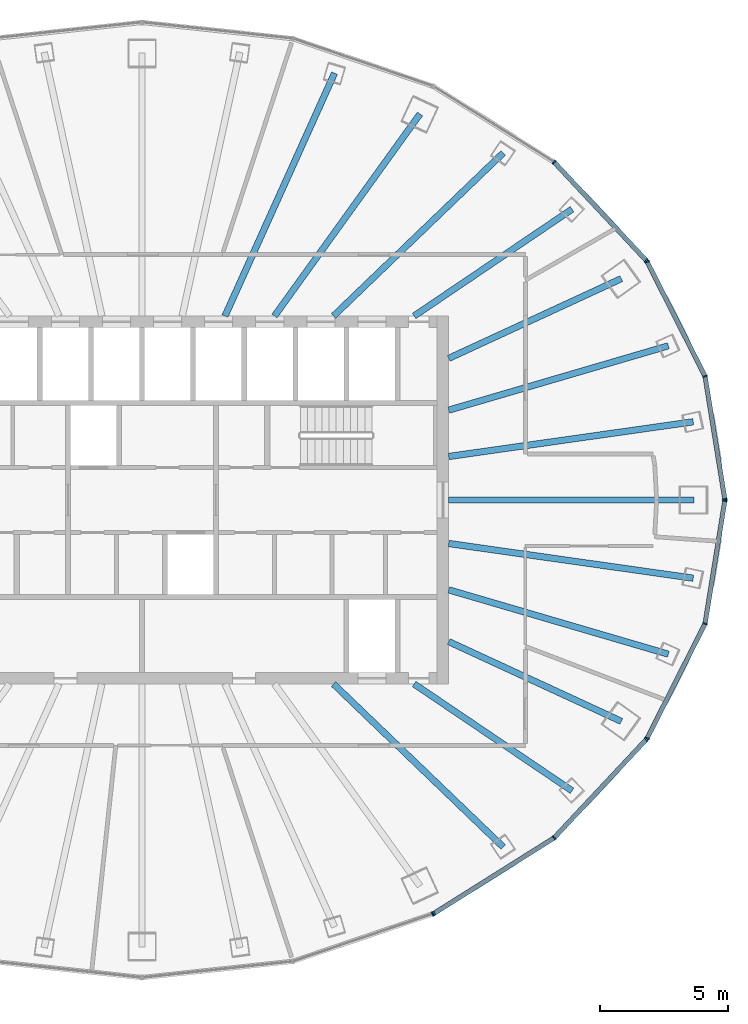
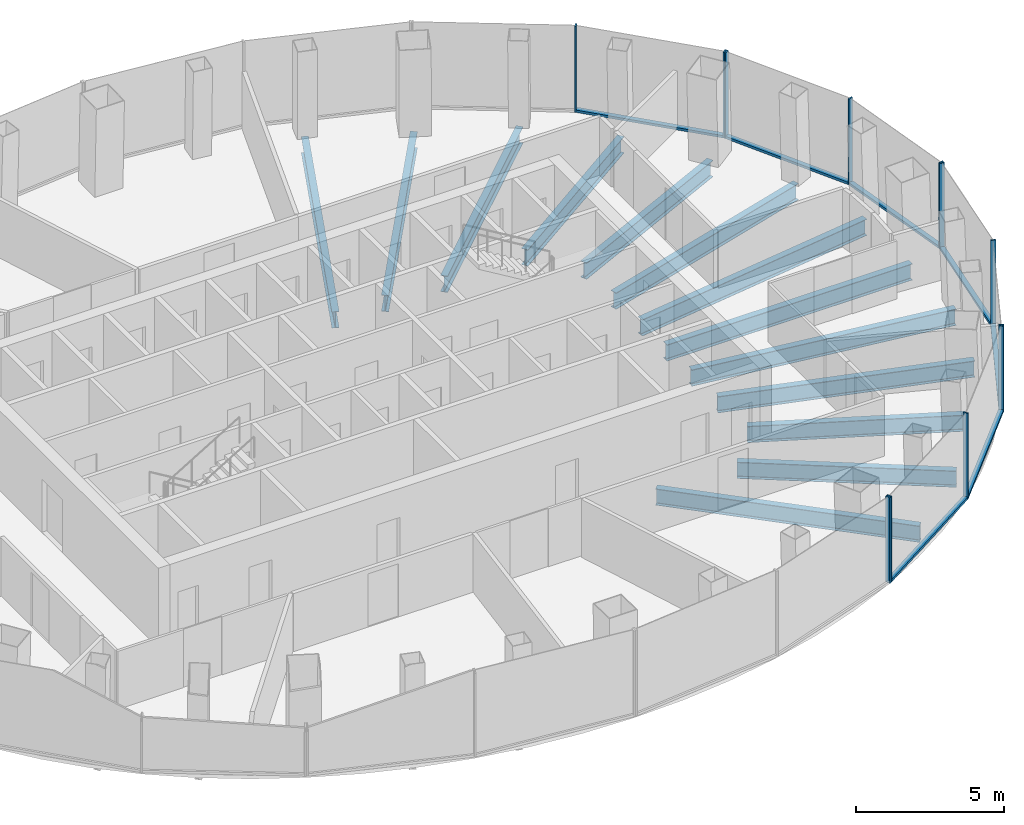
# One storey, part 5 of 11: 19 members, 13 beams, 5 elements without a shape of their own.
"""IFC4 building model written with IfcOpenShell, lengths in metres."""

from ifc_helpers import new_model, si_unit, direction, frame, origin, origin_2d, place, context, subcontext, project, spatial, rectangle, i_section, extrude, material, layer, layer_set, material_profile, profile_set, type_object, element, aggregate, save


model = new_model("IFC4")

# Units and contexts
model_context = context("Model", 3, precision=1e-05, world=origin(), true_north=direction((0.0, 1.0)))
body_context = subcontext(model_context, "Body", "Model", "MODEL_VIEW")
ifc_project = project(units=[si_unit("LENGTHUNIT", "METRE"), si_unit("AREAUNIT", "SQUARE_METRE"), si_unit("VOLUMEUNIT", "CUBIC_METRE"), si_unit("PLANEANGLEUNIT", "RADIAN"), si_unit("MASSUNIT", "GRAM", prefix="KILO")], contexts=[model_context])

# Site, building, storey
site_placement = place(None, origin())
site = spatial("IfcSite", under=ifc_project, at=site_placement, CompositionType="ELEMENT")
building_placement = place(site_placement, origin())
building = spatial("IfcBuilding", under=site, at=building_placement, Name="Siaravel Broadcast Tower", CompositionType="ELEMENT")
storey_placement = place(building_placement, frame((0.0, 0.0, 197.800048828125)))
storey = spatial("IfcBuildingStorey", under=building, at=storey_placement, Name="L48", CompositionType="ELEMENT", Elevation=197.800048828125)

# Beams
ifc_material_1 = material(Name="Steel S355", Category="steel")
ifc_material_profile_1 = material_profile(ifc_material_1, i_section(OverallWidth=0.2529296875, OverallDepth=0.677978515625, WebThickness=0.01171875, FlangeThickness=0.01611328125, FilletRadius=0.01513671875, at=origin_2d()))
ifc_profile_set_1 = profile_set([ifc_material_profile_1], Name="Steel S355")
beam_type = type_object("IfcBeamType", Name="BM-UB 686x254x125", PredefinedType="BEAM", material=ifc_profile_set_1)
beam_1_placement = place(storey_placement, frame((21.59619140625, 0.0, -0.489013671875), z_axis=(-1.0, 0.0, 0.0), x_axis=(0.0, -1.0, 0.0)))
element("IfcBeam", 1, at=beam_1_placement, inside=storey, type_object=beam_type, Name="Radial beam RB01", PredefinedType="BEAM", context=body_context, shape_type="SweptSolid", body=[
    extrude(i_section(OverallWidth=0.2529296875, OverallDepth=0.677978515625, WebThickness=0.01171875, FlangeThickness=0.01611328125, FilletRadius=0.01513671875, at=origin_2d()), origin(), (0.0, 0.0, 1.0), 9.59619140625),
])
beam_2_placement = place(storey_placement, frame((21.5693359375, 3.059814453125, -0.489013671875), z_axis=(-0.990088447, -0.140445244, 0.0), x_axis=(0.140445244, -0.990088447, 0.0)))
element("IfcBeam", 2, at=beam_2_placement, inside=storey, type_object=beam_type, Name="Radial beam RB02", PredefinedType="BEAM", context=body_context, shape_type="SweptSolid", body=[
    extrude(i_section(OverallWidth=0.2529296875, OverallDepth=0.677978515625, WebThickness=0.01171875, FlangeThickness=0.01611328125, FilletRadius=0.01513671875, at=origin_2d()), origin(), (0.0, 0.0, 1.0), 9.6650390625),
])
beam_3_placement = place(storey_placement, frame((20.596435546875, 6.03369140625, -0.489013671875), z_axis=(-0.959668741, -0.281133256, 0.0), x_axis=(0.281133256, -0.959668741, 0.0)))
element("IfcBeam", 3, at=beam_3_placement, inside=storey, type_object=beam_type, Name="Radial beam RB03", PredefinedType="BEAM", context=body_context, shape_type="SweptSolid", body=[
    extrude(i_section(OverallWidth=0.2529296875, OverallDepth=0.677978515625, WebThickness=0.01171875, FlangeThickness=0.01611328125, FilletRadius=0.01513671875, at=origin_2d()), origin(), (0.0, 0.0, 1.0), 8.957763671875),
])
beam_4_placement = place(storey_placement, frame((18.75634765625, 8.66162109375, -0.489013671875), z_axis=(-0.907867186, -0.419257883, 0.0), x_axis=(0.419257883, -0.907867186, 0.0)))
element("IfcBeam", 4, at=beam_4_placement, inside=storey, type_object=beam_type, Name="Radial beam RB04", PredefinedType="BEAM", context=body_context, shape_type="SweptSolid", body=[
    extrude(i_section(OverallWidth=0.2529296875, OverallDepth=0.677978515625, WebThickness=0.01171875, FlangeThickness=0.01611328125, FilletRadius=0.01513671875, at=origin_2d()), origin(), (0.0, 0.0, 1.0), 7.44189453125),
])
beam_5_placement = place(storey_placement, frame((16.827392578125, 11.37744140625, -0.489013671875), z_axis=(-0.828411629, -0.560119784, 0.0), x_axis=(0.560119784, -0.828411629, 0.0)))
element("IfcBeam", 5, at=beam_5_placement, inside=storey, type_object=beam_type, Name="Radial beam RB05", PredefinedType="BEAM", context=body_context, shape_type="SweptSolid", body=[
    extrude(i_section(OverallWidth=0.2529296875, OverallDepth=0.677978515625, WebThickness=0.01171875, FlangeThickness=0.01611328125, FilletRadius=0.01513671875, at=origin_2d()), origin(), (0.0, 0.0, 1.0), 7.458251953125),
])
beam_6_placement = place(storey_placement, frame((14.1357421875, 13.58203125, -0.489013671875), z_axis=(-0.721092248, -0.692839065, 0.0), x_axis=(0.692839065, -0.721092248, 0.0)))
element("IfcBeam", 6, at=beam_6_placement, inside=storey, type_object=beam_type, Name="Radial beam RB06", PredefinedType="BEAM", context=body_context, shape_type="SweptSolid", body=[
    extrude(i_section(OverallWidth=0.2529296875, OverallDepth=0.677978515625, WebThickness=0.01171875, FlangeThickness=0.01611328125, FilletRadius=0.01513671875, at=origin_2d()), origin(), (0.0, 0.0, 1.0), 9.21142578125),
])
beam_7_placement = place(storey_placement, frame((10.8779296875, 15.105712890625, -0.489013671875), z_axis=(-0.58437008, -0.811487282, 0.0), x_axis=(0.811487282, -0.58437008, 0.0)))
element("IfcBeam", 7, at=beam_7_placement, inside=storey, type_object=beam_type, Name="Radial beam RB07", PredefinedType="BEAM", context=body_context, shape_type="SweptSolid", body=[
    extrude(i_section(OverallWidth=0.2529296875, OverallDepth=0.677978515625, WebThickness=0.01171875, FlangeThickness=0.01611328125, FilletRadius=0.01513671875, at=origin_2d()), origin(), (0.0, 0.0, 1.0), 9.742431640625),
])
beam_8_placement = place(storey_placement, frame((7.533935546875, 16.702880859375, -0.489013671875), z_axis=(-0.411166898, -0.911560081, 0.0), x_axis=(0.911560081, -0.411166898, 0.0)))
element("IfcBeam", 8, at=beam_8_placement, inside=storey, type_object=beam_type, Name="Radial beam RB08", PredefinedType="BEAM", context=body_context, shape_type="SweptSolid", body=[
    extrude(i_section(OverallWidth=0.2529296875, OverallDepth=0.677978515625, WebThickness=0.01171875, FlangeThickness=0.01611328125, FilletRadius=0.01513671875, at=origin_2d()), origin(), (0.0, 0.0, 1.0), 10.4248046875),
])
beam_9_placement = place(storey_placement, frame((14.1357421875, -13.58203125, -0.489013671875), z_axis=(-0.721092248, 0.692839065, 0.0), x_axis=(-0.692839065, -0.721092248, 0.0)))
element("IfcBeam", 9, at=beam_9_placement, inside=storey, type_object=beam_type, Name="Radial beam RB32", PredefinedType="BEAM", context=body_context, shape_type="SweptSolid", body=[
    extrude(i_section(OverallWidth=0.2529296875, OverallDepth=0.677978515625, WebThickness=0.01171875, FlangeThickness=0.01611328125, FilletRadius=0.01513671875, at=origin_2d()), origin(), (0.0, 0.0, 1.0), 9.21142578125),
])
beam_10_placement = place(storey_placement, frame((16.827392578125, -11.37744140625, -0.489013671875), z_axis=(-0.828411629, 0.560119784, 0.0), x_axis=(-0.560119784, -0.828411629, 0.0)))
element("IfcBeam", 10, at=beam_10_placement, inside=storey, type_object=beam_type, Name="Radial beam RB33", PredefinedType="BEAM", context=body_context, shape_type="SweptSolid", body=[
    extrude(i_section(OverallWidth=0.2529296875, OverallDepth=0.677978515625, WebThickness=0.01171875, FlangeThickness=0.01611328125, FilletRadius=0.01513671875, at=origin_2d()), origin(), (0.0, 0.0, 1.0), 7.458251953125),
])
beam_11_placement = place(storey_placement, frame((18.75634765625, -8.66162109375, -0.489013671875), z_axis=(-0.907867186, 0.419257883, 0.0), x_axis=(-0.419257883, -0.907867186, 0.0)))
element("IfcBeam", 11, at=beam_11_placement, inside=storey, type_object=beam_type, Name="Radial beam RB34", PredefinedType="BEAM", context=body_context, shape_type="SweptSolid", body=[
    extrude(i_section(OverallWidth=0.2529296875, OverallDepth=0.677978515625, WebThickness=0.01171875, FlangeThickness=0.01611328125, FilletRadius=0.01513671875, at=origin_2d()), origin(), (0.0, 0.0, 1.0), 7.44189453125),
])
beam_12_placement = place(storey_placement, frame((20.596435546875, -6.03369140625, -0.489013671875), z_axis=(-0.959668741, 0.281133256, 0.0), x_axis=(-0.281133256, -0.959668741, 0.0)))
element("IfcBeam", 12, at=beam_12_placement, inside=storey, type_object=beam_type, Name="Radial beam RB35", PredefinedType="BEAM", context=body_context, shape_type="SweptSolid", body=[
    extrude(i_section(OverallWidth=0.2529296875, OverallDepth=0.677978515625, WebThickness=0.01171875, FlangeThickness=0.01611328125, FilletRadius=0.01513671875, at=origin_2d()), origin(), (0.0, 0.0, 1.0), 8.957763671875),
])
beam_13_placement = place(storey_placement, frame((21.5693359375, -3.059814453125, -0.489013671875), z_axis=(-0.990088447, 0.140445244, 0.0), x_axis=(-0.140445244, -0.990088447, 0.0)))
element("IfcBeam", 13, at=beam_13_placement, inside=storey, type_object=beam_type, Name="Radial beam RB36", PredefinedType="BEAM", context=body_context, shape_type="SweptSolid", body=[
    extrude(i_section(OverallWidth=0.2529296875, OverallDepth=0.677978515625, WebThickness=0.01171875, FlangeThickness=0.01611328125, FilletRadius=0.01513671875, at=origin_2d()), origin(), (0.0, 0.0, 1.0), 9.6650390625),
])

# Curtain wall, members
ifc_material_2 = material(Name="Aluminium 6063-T6", Category="aluminium")
ifc_layer = layer(ifc_material_2, 0.179931640625)
ifc_layer_set = layer_set([ifc_layer], Name="Aluminium 6063-T6")
curtain_wall_type = type_object("IfcCurtainWallType", Name="Unitised curtain wall, zone 3", PredefinedType="NOTDEFINED", material=ifc_layer_set)
curtain_wall_1_placement = place(storey_placement, origin())
curtain_wall_1 = element("IfcCurtainWall", 14, at=curtain_wall_1_placement, inside=storey, type_object=curtain_wall_type, Name="L48 Unitised curtain wall, zone 3 01", PredefinedType="NOTDEFINED")
ifc_material_profile_2 = material_profile(ifc_material_2, rectangle(XDim=0.179931640625, YDim=0.06005859375, at=origin_2d()))
ifc_profile_set_2 = profile_set([ifc_material_profile_2], Name="Aluminium 6063-T6")
member_type_1 = type_object("IfcMemberType", Name="CW-Z3 mullion", PredefinedType="MULLION", material=ifc_profile_set_2)
member_1_placement = place(storey_placement, frame((22.805419921875, 0.029541015625, 0.0), z_axis=(0.0, 0.0, 1.0), x_axis=(-0.987329188, -0.158685461, 0.0)))
member_1 = element("IfcMember", 15, at=member_1_placement, type_object=member_type_1, Name="CW-Z3 mullion 1", PredefinedType="MULLION", context=body_context, shape_type="SweptSolid", body=[
    extrude(rectangle(XDim=0.179931640625, YDim=0.06005859375, at=origin_2d()), origin(), (0.0, 0.0, 1.0), 3.550048828125),
])
member_2_placement = place(storey_placement, frame((22.0322265625, 4.8408203125, 0.0), z_axis=(0.0, 0.0, 1.0), x_axis=(-0.951177224, -0.308645247, 0.0)))
member_2 = element("IfcMember", 16, at=member_2_placement, type_object=member_type_1, Name="CW-Z3 mullion 2", PredefinedType="MULLION", context=body_context, shape_type="SweptSolid", body=[
    extrude(rectangle(XDim=0.179931640625, YDim=0.06005859375, at=origin_2d()), origin(), (0.0, 0.0, 1.0), 3.550048828125),
])
member_3_placement = place(storey_placement, frame((19.765380859375, 9.323486328125, 0.0), z_axis=(0.0, 0.0, 1.0), x_axis=(-0.892392092, -0.45126085, 0.0)))
member_3 = element("IfcMember", 17, at=member_3_placement, type_object=member_type_1, Name="CW-Z3 mullion 3", PredefinedType="MULLION", context=body_context, shape_type="SweptSolid", body=[
    extrude(rectangle(XDim=0.179931640625, YDim=0.06005859375, at=origin_2d()), origin(), (0.0, 0.0, 1.0), 3.550048828125),
])

curtain_wall_2_placement = place(storey_placement, origin())
curtain_wall_2 = element("IfcCurtainWall", 18, at=curtain_wall_2_placement, inside=storey, type_object=curtain_wall_type, Name="L48 Unitised curtain wall, zone 3 02", PredefinedType="NOTDEFINED")
member_4_placement = place(storey_placement, frame((19.7314453125, 9.372314453125, 0.0), z_axis=(0.0, 0.0, 1.0), x_axis=(-0.729805157, -0.6836552, 0.0)))
member_4 = element("IfcMember", 19, at=member_4_placement, type_object=member_type_1, Name="CW-Z3 mullion 1", PredefinedType="MULLION", context=body_context, shape_type="SweptSolid", body=[
    extrude(rectangle(XDim=0.179931640625, YDim=0.06005859375, at=origin_2d()), origin(), (0.0, 0.0, 1.0), 3.550048828125),
])
member_5_placement = place(storey_placement, frame((16.12548828125, 13.221435546875, 0.0), z_axis=(0.0, 0.0, 1.0), x_axis=(-0.636218507, -0.771508918, 0.0)))
member_5 = element("IfcMember", 20, at=member_5_placement, type_object=member_type_1, Name="CW-Z3 mullion 2", PredefinedType="MULLION", context=body_context, shape_type="SweptSolid", body=[
    extrude(rectangle(XDim=0.179931640625, YDim=0.06005859375, at=origin_2d()), origin(), (0.0, 0.0, 1.0), 3.550048828125),
])

# Curtain wall, member
curtain_wall_3_placement = place(storey_placement, origin())
curtain_wall_3 = element("IfcCurtainWall", 21, at=curtain_wall_3_placement, inside=storey, type_object=curtain_wall_type, Name="L48 Unitised curtain wall, zone 3 10", PredefinedType="NOTDEFINED")
member_6_placement = place(storey_placement, frame((11.373046875, -16.2001953125, 0.0), z_axis=(0.0, 0.0, 1.0), x_axis=(-0.321300458, 0.946977305, 0.0)))
member_6 = element("IfcMember", 22, at=member_6_placement, type_object=member_type_1, Name="CW-Z3 mullion 3", PredefinedType="MULLION", context=body_context, shape_type="SweptSolid", body=[
    extrude(rectangle(XDim=0.179931640625, YDim=0.06005859375, at=origin_2d()), origin(), (0.0, 0.0, 1.0), 3.550048828125),
])
aggregate(curtain_wall_3, [member_6])

# Curtain wall, members
curtain_wall_4_placement = place(storey_placement, origin())
curtain_wall_4 = element("IfcCurtainWall", 23, at=curtain_wall_4_placement, inside=storey, type_object=curtain_wall_type, Name="L48 Unitised curtain wall, zone 3 11", PredefinedType="NOTDEFINED")
member_7_placement = place(storey_placement, frame((11.427001953125, -16.1748046875, 0.0), z_axis=(0.0, 0.0, 1.0), x_axis=(-0.532149052, 0.846650687, 0.0)))
member_7 = element("IfcMember", 24, at=member_7_placement, type_object=member_type_1, Name="CW-Z3 mullion 1", PredefinedType="MULLION", context=body_context, shape_type="SweptSolid", body=[
    extrude(rectangle(XDim=0.179931640625, YDim=0.06005859375, at=origin_2d()), origin(), (0.0, 0.0, 1.0), 3.550048828125),
])
member_8_placement = place(storey_placement, frame((16.12548828125, -13.221435546875, 0.0), z_axis=(0.0, 0.0, 1.0), x_axis=(-0.636218507, 0.771508918, 0.0)))
member_8 = element("IfcMember", 25, at=member_8_placement, type_object=member_type_1, Name="CW-Z3 mullion 2", PredefinedType="MULLION", context=body_context, shape_type="SweptSolid", body=[
    extrude(rectangle(XDim=0.179931640625, YDim=0.06005859375, at=origin_2d()), origin(), (0.0, 0.0, 1.0), 3.550048828125),
])
member_9_placement = place(storey_placement, frame((19.7314453125, -9.372314453125, 0.0), z_axis=(0.0, 0.0, 1.0), x_axis=(-0.729805157, 0.6836552, 0.0)))
member_9 = element("IfcMember", 26, at=member_9_placement, type_object=member_type_1, Name="CW-Z3 mullion 3", PredefinedType="MULLION", context=body_context, shape_type="SweptSolid", body=[
    extrude(rectangle(XDim=0.179931640625, YDim=0.06005859375, at=origin_2d()), origin(), (0.0, 0.0, 1.0), 3.550048828125),
])

curtain_wall_5_placement = place(storey_placement, origin())
curtain_wall_5 = element("IfcCurtainWall", 27, at=curtain_wall_5_placement, inside=storey, type_object=curtain_wall_type, Name="L48 Unitised curtain wall, zone 3 12", PredefinedType="NOTDEFINED")
member_10_placement = place(storey_placement, frame((19.765380859375, -9.323486328125, 0.0), z_axis=(0.0, 0.0, 1.0), x_axis=(-0.892392092, 0.45126085, 0.0)))
member_10 = element("IfcMember", 28, at=member_10_placement, type_object=member_type_1, Name="CW-Z3 mullion 1", PredefinedType="MULLION", context=body_context, shape_type="SweptSolid", body=[
    extrude(rectangle(XDim=0.179931640625, YDim=0.06005859375, at=origin_2d()), origin(), (0.0, 0.0, 1.0), 3.550048828125),
])
member_11_placement = place(storey_placement, frame((22.0322265625, -4.8408203125, 0.0), z_axis=(0.0, 0.0, 1.0), x_axis=(-0.951177224, 0.308645247, 0.0)))
member_11 = element("IfcMember", 29, at=member_11_placement, type_object=member_type_1, Name="CW-Z3 mullion 2", PredefinedType="MULLION", context=body_context, shape_type="SweptSolid", body=[
    extrude(rectangle(XDim=0.179931640625, YDim=0.06005859375, at=origin_2d()), origin(), (0.0, 0.0, 1.0), 3.550048828125),
])
member_12_placement = place(storey_placement, frame((22.805419921875, -0.029541015625, 0.0), z_axis=(0.0, 0.0, 1.0), x_axis=(-0.987329188, 0.158685461, 0.0)))
member_12 = element("IfcMember", 30, at=member_12_placement, type_object=member_type_1, Name="CW-Z3 mullion 3", PredefinedType="MULLION", context=body_context, shape_type="SweptSolid", body=[
    extrude(rectangle(XDim=0.179931640625, YDim=0.06005859375, at=origin_2d()), origin(), (0.0, 0.0, 1.0), 3.550048828125),
])

# Member
ifc_material_profile_3 = material_profile(ifc_material_2, rectangle(XDim=0.179931640625, YDim=0.10009765625, at=origin_2d()))
ifc_profile_set_3 = profile_set([ifc_material_profile_3], Name="Aluminium 6063-T6")
member_type_2 = type_object("IfcMemberType", Name="CW-Z3 transom", PredefinedType="USERDEFINED", material=ifc_profile_set_3)
member_13_placement = place(storey_placement, frame((22.80078125, 0.05908203125, 0.050048828125), z_axis=(-0.158671031, 0.987331507, 0.0), x_axis=(-0.987331507, -0.158671031, 0.0)))
member_13 = element("IfcMember", 31, at=member_13_placement, type_object=member_type_2, Name="CW-Z3 transom 1", ObjectType="TRANSOM", PredefinedType="USERDEFINED", context=body_context, shape_type="SweptSolid", body=[
    extrude(rectangle(XDim=0.179931640625, YDim=0.10009765625, at=origin_2d()), origin(), (0.0, 0.0, 1.0), 4.81298828125),
])

member_14_placement = place(storey_placement, frame((22.018798828125, 4.867431640625, 0.050048828125), z_axis=(-0.45128156, 0.892381619, 0.0), x_axis=(-0.892381619, -0.45128156, 0.0)))
member_14 = element("IfcMember", 32, at=member_14_placement, type_object=member_type_2, Name="CW-Z3 transom 2", ObjectType="TRANSOM", PredefinedType="USERDEFINED", context=body_context, shape_type="SweptSolid", body=[
    extrude(rectangle(XDim=0.179931640625, YDim=0.10009765625, at=origin_2d()), origin(), (0.0, 0.0, 1.0), 4.963623046875),
])

aggregate(curtain_wall_1, [member_1, member_2, member_3, member_13, member_14])

member_15_placement = place(storey_placement, frame((19.710693359375, 9.394287109375, 0.050048828125), z_axis=(-0.683645131, 0.72981459, 0.0), x_axis=(-0.72981459, -0.683645131, 0.0)))
member_15 = element("IfcMember", 33, at=member_15_placement, type_object=member_type_2, Name="CW-Z3 transom 1", ObjectType="TRANSOM", PredefinedType="USERDEFINED", context=body_context, shape_type="SweptSolid", body=[
    extrude(rectangle(XDim=0.179931640625, YDim=0.10009765625, at=origin_2d()), origin(), (0.0, 0.0, 1.0), 5.2138671875),
])

aggregate(curtain_wall_2, [member_4, member_5, member_15])

member_16_placement = place(storey_placement, frame((11.452392578125, -16.15869140625, 0.050048828125), z_axis=(0.846638839, 0.532167902, 0.0), x_axis=(-0.532167902, 0.846638839, 0.0)))
member_16 = element("IfcMember", 34, at=member_16_placement, type_object=member_type_2, Name="CW-Z3 transom 1", ObjectType="TRANSOM", PredefinedType="USERDEFINED", context=body_context, shape_type="SweptSolid", body=[
    extrude(rectangle(XDim=0.179931640625, YDim=0.10009765625, at=origin_2d()), origin(), (0.0, 0.0, 1.0), 5.489501953125),
])

member_17_placement = place(storey_placement, frame((16.146240234375, -13.199462890625, 0.050048828125), z_axis=(0.683645131, 0.72981459, 0.0), x_axis=(-0.72981459, 0.683645131, 0.0)))
member_17 = element("IfcMember", 35, at=member_17_placement, type_object=member_type_2, Name="CW-Z3 transom 2", ObjectType="TRANSOM", PredefinedType="USERDEFINED", context=body_context, shape_type="SweptSolid", body=[
    extrude(rectangle(XDim=0.179931640625, YDim=0.10009765625, at=origin_2d()), origin(), (0.0, 0.0, 1.0), 5.2138671875),
])

aggregate(curtain_wall_4, [member_7, member_8, member_9, member_16, member_17])

member_18_placement = place(storey_placement, frame((19.77880859375, -9.296875, 0.050048828125), z_axis=(0.45128156, 0.892381619, 0.0), x_axis=(-0.892381619, 0.45128156, 0.0)))
member_18 = element("IfcMember", 36, at=member_18_placement, type_object=member_type_2, Name="CW-Z3 transom 1", ObjectType="TRANSOM", PredefinedType="USERDEFINED", context=body_context, shape_type="SweptSolid", body=[
    extrude(rectangle(XDim=0.179931640625, YDim=0.10009765625, at=origin_2d()), origin(), (0.0, 0.0, 1.0), 4.963623046875),
])

member_19_placement = place(storey_placement, frame((22.037109375, -4.81103515625, 0.050048828125), z_axis=(0.158671031, 0.987331507, 0.0), x_axis=(-0.987331507, 0.158671031, 0.0)))
member_19 = element("IfcMember", 37, at=member_19_placement, type_object=member_type_2, Name="CW-Z3 transom 2", ObjectType="TRANSOM", PredefinedType="USERDEFINED", context=body_context, shape_type="SweptSolid", body=[
    extrude(rectangle(XDim=0.179931640625, YDim=0.10009765625, at=origin_2d()), origin(), (0.0, 0.0, 1.0), 4.81298828125),
])

aggregate(curtain_wall_5, [member_10, member_11, member_12, member_18, member_19])

save(model, "model.ifc")
